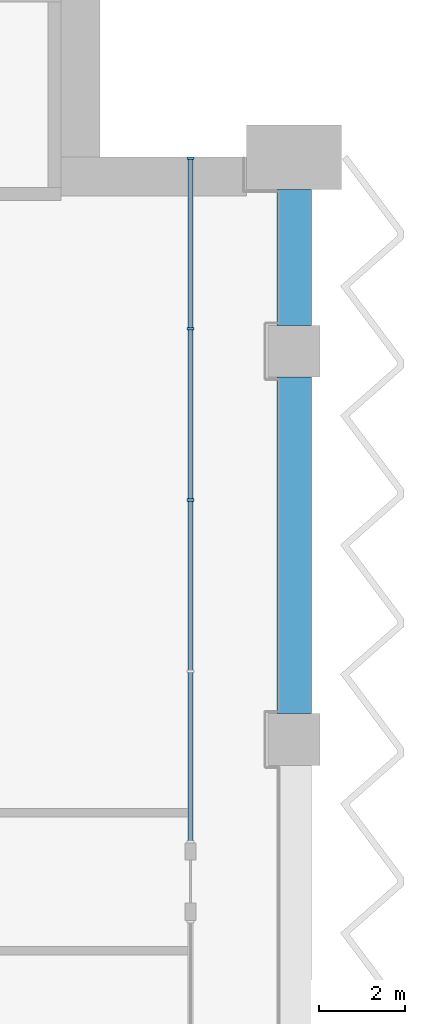
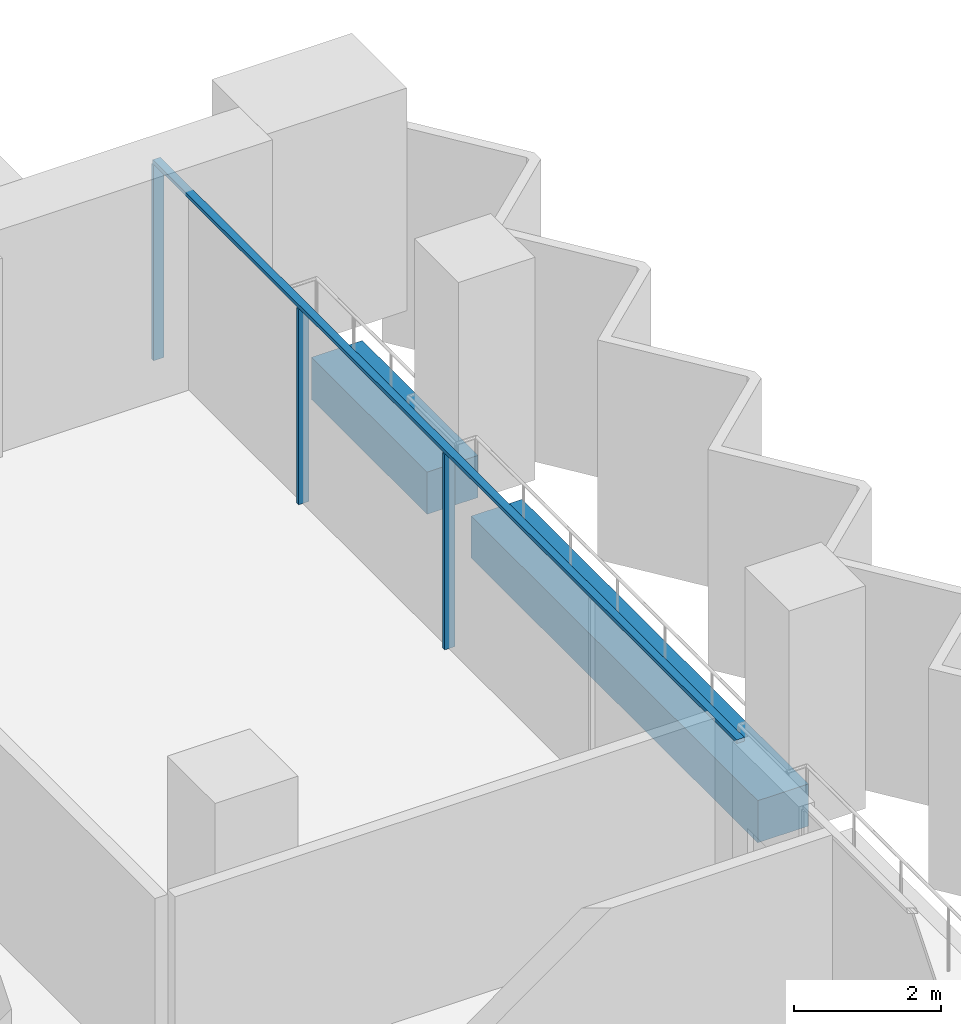
# One storey, part 6 of 23: 4 members, 2 beams, 1 element without a shape of its own.
"""IFC4 building model written with IfcOpenShell, lengths in metres."""

from ifc_helpers import new_model, si_unit, direction, frame, origin, origin_2d, place, context, subcontext, project, spatial, rectangle, extrude, material, material_profile, profile_set, type_object, element, aggregate, save


model = new_model("IFC4")

# Units and contexts
model_context = context("Model", 3, precision=1e-05, world=origin(), true_north=direction((0.0, 1.0)))
body_context = subcontext(model_context, "Body", "Model", "MODEL_VIEW")
ifc_project = project(units=[si_unit("LENGTHUNIT", "METRE"), si_unit("AREAUNIT", "SQUARE_METRE"), si_unit("VOLUMEUNIT", "CUBIC_METRE"), si_unit("PLANEANGLEUNIT", "RADIAN"), si_unit("MASSUNIT", "GRAM", prefix="KILO")], contexts=[model_context])

# Site, building, storey
site_placement = place(None, origin())
site = spatial("IfcSite", under=ifc_project, at=site_placement, CompositionType="ELEMENT")
building_placement = place(site_placement, origin())
building = spatial("IfcBuilding", under=site, at=building_placement, Name="Hunhe Ridgeline Campus", CompositionType="ELEMENT")
storey_placement = place(building_placement, frame((0.0, 0.0, 110.699951171875)))
storey = spatial("IfcBuildingStorey", under=building, at=storey_placement, Name="L27", CompositionType="ELEMENT", Elevation=110.699951171875)

# Curtain wall, members
ifc_material_1 = material(Name="Aluminium 6063", Category="aluminium")
curtain_wall_type = type_object("IfcCurtainWallType", Name="Curtain wall CW-1", PredefinedType="NOTDEFINED", material=ifc_material_1)
curtain_wall_placement = place(storey_placement, origin())
curtain_wall = element("IfcCurtainWall", 1, at=curtain_wall_placement, inside=storey, type_object=curtain_wall_type, Name="Curtain wall 16", PredefinedType="NOTDEFINED")
ifc_material_profile_1 = material_profile(ifc_material_1, rectangle(XDim=0.159912109375, YDim=0.06005859375, at=origin_2d()))
ifc_profile_set_1 = profile_set([ifc_material_profile_1], Name="Aluminium 6063")
member_type_1 = type_object("IfcMemberType", Name="CW-1 aluminium mullion", PredefinedType="MULLION", material=ifc_profile_set_1)
member_1_placement = place(storey_placement, frame((78.59912109375, 86.55029296875, 0.0), z_axis=(0.0, 0.0, 1.0), x_axis=(-1.0, 0.0, 0.0)))
member_1 = element("IfcMember", 2, at=member_1_placement, type_object=member_type_1, Name="CW-1 mullion 3", PredefinedType="MULLION", context=body_context, shape_type="SweptSolid", body=[
    extrude(rectangle(XDim=0.159912109375, YDim=0.06005859375, at=origin_2d()), origin(), (0.0, 0.0, 1.0), 3.239990234375),
])
member_2_placement = place(storey_placement, frame((78.59912109375, 90.525146484375, 0.0), z_axis=(0.0, 0.0, 1.0), x_axis=(-1.0, 0.0, 0.0)))
member_2 = element("IfcMember", 3, at=member_2_placement, type_object=member_type_1, Name="CW-1 mullion 4", PredefinedType="MULLION", context=body_context, shape_type="SweptSolid", body=[
    extrude(rectangle(XDim=0.159912109375, YDim=0.06005859375, at=origin_2d()), origin(), (0.0, 0.0, 1.0), 3.239990234375),
])
member_3_placement = place(storey_placement, frame((78.59912109375, 94.469970703125, 0.0), z_axis=(0.0, 0.0, 1.0), x_axis=(-1.0, 0.0, 0.0)))
member_3 = element("IfcMember", 4, at=member_3_placement, type_object=member_type_1, Name="CW-1 mullion 5", PredefinedType="MULLION", context=body_context, shape_type="SweptSolid", body=[
    extrude(rectangle(XDim=0.159912109375, YDim=0.06005859375, at=origin_2d()), origin(), (0.0, 0.0, 1.0), 3.239990234375),
])
ifc_material_profile_2 = material_profile(ifc_material_1, rectangle(XDim=0.1201171875, YDim=0.06005859375, at=origin_2d()))
ifc_profile_set_2 = profile_set([ifc_material_profile_2], Name="Aluminium 6063")
member_type_2 = type_object("IfcMemberType", Name="CW-1 aluminium transom", PredefinedType="USERDEFINED", material=ifc_profile_set_2)
member_4_placement = place(storey_placement, frame((78.59912109375, 78.6005859375, 3.27001953125), z_axis=(0.0, 1.0, 0.0), x_axis=(-1.0, 0.0, 0.0)))
member_4 = element("IfcMember", 5, at=member_4_placement, type_object=member_type_2, Name="CW-1 transom 1", ObjectType="TRANSOM", PredefinedType="USERDEFINED", context=body_context, shape_type="SweptSolid", body=[
    extrude(rectangle(XDim=0.1201171875, YDim=0.06005859375, at=origin_2d()), origin(), (0.0, 0.0, 1.0), 15.8994140625),
])
aggregate(curtain_wall, [member_4, member_1, member_2, member_3])

# Beams
ifc_material_2 = material(Name="Concrete C60", Category="concrete")
ifc_material_profile_3 = material_profile(ifc_material_2, rectangle(XDim=0.800048828125, YDim=0.699951171875, at=origin_2d()))
ifc_profile_set_3 = profile_set([ifc_material_profile_3], Name="Concrete C60")
beam_type = type_object("IfcBeamType", Name="RC spandrel beam 800x700 Concrete C60", PredefinedType="SPANDREL", material=ifc_profile_set_3)
beam_1_placement = place(storey_placement, frame((81.0, 81.60009765625, -0.599853515625), z_axis=(0.0, 1.0, 0.0), x_axis=(-1.0, 0.0, 0.0)))
element("IfcBeam", 6, at=beam_1_placement, inside=storey, type_object=beam_type, Name="Spandrel beam B1-21 L27", PredefinedType="SPANDREL", context=body_context, shape_type="SweptSolid", body=[
    extrude(rectangle(XDim=0.800048828125, YDim=0.699951171875, at=origin_2d()), origin(), (0.0, 0.0, 1.0), 7.7998046875),
])
beam_2_placement = place(storey_placement, frame((81.0, 90.60009765625, -0.599853515625), z_axis=(0.0, 1.0, 0.0), x_axis=(-1.0, 0.0, 0.0)))
element("IfcBeam", 7, at=beam_2_placement, inside=storey, type_object=beam_type, Name="Spandrel beam B1-22 L27", PredefinedType="SPANDREL", context=body_context, shape_type="SweptSolid", body=[
    extrude(rectangle(XDim=0.800048828125, YDim=0.699951171875, at=origin_2d()), origin(), (0.0, 0.0, 1.0), 3.14990234375),
])

save(model, "model.ifc")
